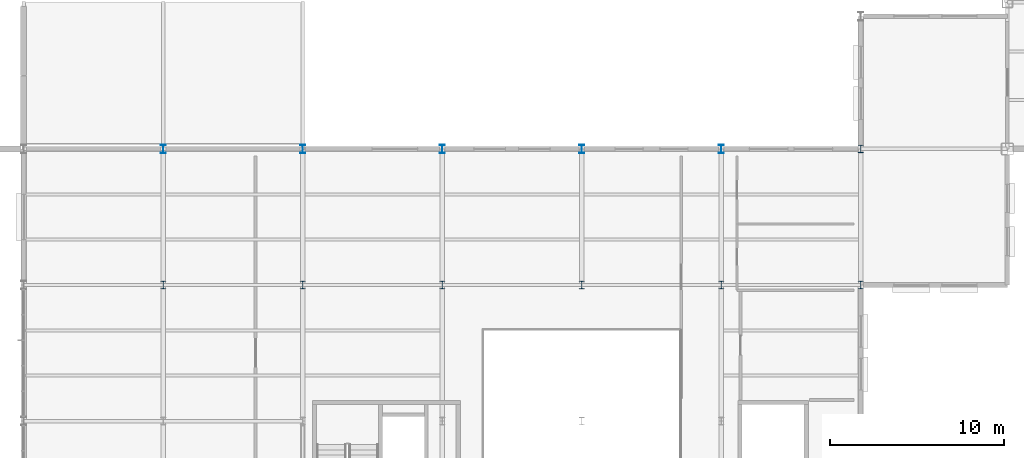
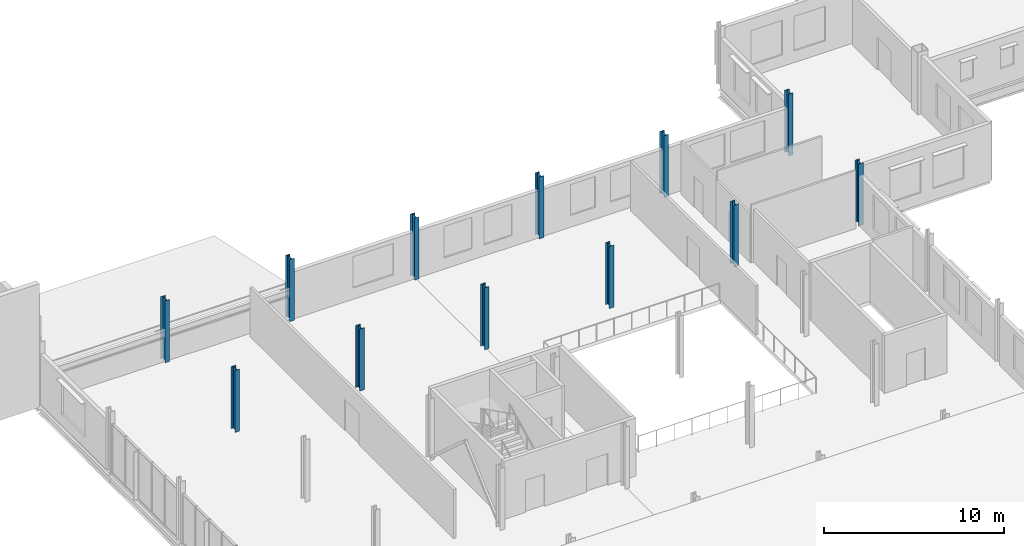
# One storey, part 8 of 45: 12 columns.
"""IFC4 building model written with IfcOpenShell, lengths in metres."""

from ifc_helpers import new_model, si_unit, direction, frame, origin, origin_2d, place, context, subcontext, project, spatial, i_section, extrude, material, material_profile, profile_set, type_object, element, save


model = new_model("IFC4")

# Units and contexts
model_context = context("Model", 3, precision=1e-05, world=origin(), true_north=direction((0.0, 1.0)))
body_context = subcontext(model_context, "Body", "Model", "MODEL_VIEW")
ifc_project = project(units=[si_unit("LENGTHUNIT", "METRE"), si_unit("AREAUNIT", "SQUARE_METRE"), si_unit("VOLUMEUNIT", "CUBIC_METRE"), si_unit("PLANEANGLEUNIT", "RADIAN"), si_unit("MASSUNIT", "GRAM", prefix="KILO")], contexts=[model_context])

# Site, building, storey
site_placement = place(None, origin())
site = spatial("IfcSite", under=ifc_project, at=site_placement, CompositionType="ELEMENT")
building_placement = place(site_placement, origin())
building = spatial("IfcBuilding", under=site, at=building_placement, Name="Yukiwa Park Conservatory and Herbarium", CompositionType="ELEMENT")
storey_placement = place(building_placement, frame((0.0, 0.0, 9.0)))
storey = spatial("IfcBuildingStorey", under=building, at=storey_placement, Name="L02", CompositionType="ELEMENT", Elevation=9.0)

# Columns
ifc_material_1 = material(Name="Steel Q355D", Category="steel")
ifc_material_profile_1 = material_profile(ifc_material_1, i_section(OverallWidth=0.300048828125, OverallDepth=0.43994140625, WebThickness=0.010986328125, FlangeThickness=0.01806640625, FilletRadius=0.02392578125, at=origin_2d()), Name="HM 440x300x11x18")
ifc_profile_set_1 = profile_set([ifc_material_profile_1], Name="Steel Q355D")
column_type_1 = type_object("IfcColumnType", Name="COL-VS-HM440", PredefinedType="COLUMN", material=ifc_profile_set_1)
for number, where, z_axis, x_axis, name in (
    (1, (68.0, 70.199951171875, 0.0), (0.0, 0.0, 1.0), (1.0, 0.0, 0.0), "L02 column V3-X680-Y702"),
    (2, (76.0, 70.199951171875, 0.0), (0.0, 0.0, 1.0), (1.0, 0.0, 0.0), "L02 column V3-X760-Y702"),
    (3, (84.0, 70.199951171875, 0.0), (0.0, 0.0, 1.0), (1.0, 0.0, 0.0), "L02 column V3-X840-Y702"),
    (4, (92.0, 70.199951171875, 0.0), (0.0, 0.0, 1.0), (1.0, 0.0, 0.0), "L02 column V3-X920-Y702"),
    (5, (100.0, 70.199951171875, 0.0), (0.0, 0.0, 1.0), (1.0, 0.0, 0.0), "L02 column V3-X1000-Y702"),
    (6, (108.0, 70.199951171875, 0.0), (0.0, 0.0, 1.0), (1.0, 0.0, 0.0), "L02 column V3-X1080-Y702"),
    (7, (108.0, 78.0, 0.0), (0.0, 0.0, 1.0), (1.0, 0.0, 0.0), "L02 column V3-X1080-Y780"),
):
    element("IfcColumn", number, at=place(storey_placement, frame(where, z_axis=z_axis, x_axis=x_axis)), inside=storey, type_object=column_type_1, Name=name, PredefinedType="COLUMN", context=body_context, shape_type="SweptSolid", body=[
        extrude(i_section(OverallWidth=0.300048828125, OverallDepth=0.43994140625, WebThickness=0.010986328125, FlangeThickness=0.01806640625, FilletRadius=0.02392578125, at=origin_2d()), origin(), (0.0, 0.0, 1.0), 4.199951171875),
    ])
ifc_material_2 = material(Name="Steel Q355D", Category="steel")
ifc_material_profile_2 = material_profile(ifc_material_2, i_section(OverallWidth=0.300048828125, OverallDepth=0.48193359375, WebThickness=0.010986328125, FlangeThickness=0.014892578125, FilletRadius=0.02392578125, at=origin_2d()), Name="HM 482x300x11x15")
ifc_profile_set_2 = profile_set([ifc_material_profile_2], Name="Steel Q355D")
column_type_2 = type_object("IfcColumnType", Name="COL-VS-HM482-EXT", PredefinedType="COLUMN", material=ifc_profile_set_2)
for number, where, z_axis, x_axis, name in (
    (8, (68.0, 78.0, 0.0), (0.0, 0.0, 1.0), (1.0, 0.0, 0.0), "L02 column V3-X680-Y780"),
    (9, (76.0, 78.0, 0.0), (0.0, 0.0, 1.0), (1.0, 0.0, 0.0), "L02 column V3-X760-Y780"),
    (10, (84.0, 78.0, 0.0), (0.0, 0.0, 1.0), (1.0, 0.0, 0.0), "L02 column V3-X840-Y780"),
    (11, (92.0, 78.0, 0.0), (0.0, 0.0, 1.0), (1.0, 0.0, 0.0), "L02 column V3-X920-Y780"),
    (12, (100.0, 78.0, 0.0), (0.0, 0.0, 1.0), (1.0, 0.0, 0.0), "L02 column V3-X1000-Y780"),
):
    element("IfcColumn", number, at=place(storey_placement, frame(where, z_axis=z_axis, x_axis=x_axis)), inside=storey, type_object=column_type_2, Name=name, PredefinedType="COLUMN", context=body_context, shape_type="SweptSolid", body=[
        extrude(i_section(OverallWidth=0.300048828125, OverallDepth=0.48193359375, WebThickness=0.010986328125, FlangeThickness=0.014892578125, FilletRadius=0.02392578125, at=origin_2d()), origin(), (0.0, 0.0, 1.0), 4.199951171875),
    ])

save(model, "model.ifc")
